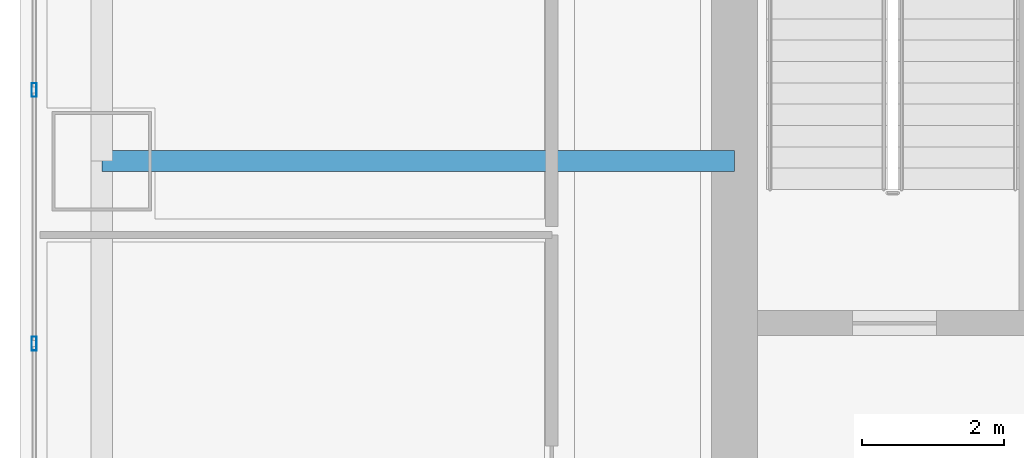
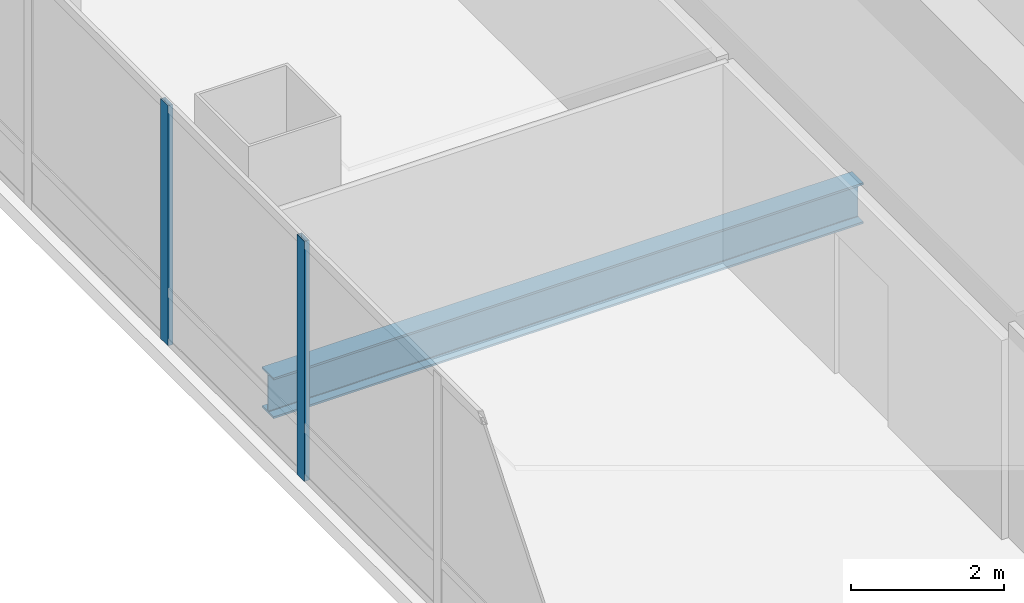
# One storey, part 9 of 36: 2 members, 1 beam, 1 element without a shape of its own.
"""IFC4 building model written with IfcOpenShell, lengths in metres."""

from ifc_helpers import new_model, si_unit, direction, frame, origin, origin_2d, place, context, subcontext, project, spatial, hollow_rectangle, i_section, extrude, material, material_profile, profile_set, type_object, element, aggregate, save


model = new_model("IFC4")

# Units and contexts
model_context = context("Model", 3, precision=1e-05, world=origin(), true_north=direction((0.0, 1.0)))
body_context = subcontext(model_context, "Body", "Model", "MODEL_VIEW")
ifc_project = project(units=[si_unit("LENGTHUNIT", "METRE"), si_unit("AREAUNIT", "SQUARE_METRE"), si_unit("VOLUMEUNIT", "CUBIC_METRE"), si_unit("PLANEANGLEUNIT", "RADIAN"), si_unit("MASSUNIT", "GRAM", prefix="KILO")], contexts=[model_context])

# Site, building, storey
site_placement = place(None, origin())
site = spatial("IfcSite", under=ifc_project, at=site_placement, CompositionType="ELEMENT")
building_placement = place(site_placement, origin())
building = spatial("IfcBuilding", under=site, at=building_placement, Name="Punatoya Terracotta Tower", CompositionType="ELEMENT")
storey_placement = place(building_placement, frame((0.0, 0.0, 208.64990234375)))
storey = spatial("IfcBuildingStorey", under=building, at=storey_placement, Name="L49", CompositionType="ELEMENT", Elevation=208.64990234375)

# Beam
ifc_material_1 = material(Name="Steel S355", Category="steel")
ifc_material_profile_1 = material_profile(ifc_material_1, i_section(OverallWidth=0.300048828125, OverallDepth=0.64990234375, WebThickness=0.01611328125, FlangeThickness=0.031005859375, FilletRadius=0.01806640625, at=origin_2d()))
ifc_profile_set_1 = profile_set([ifc_material_profile_1], Name="Steel S355")
beam_type = type_object("IfcBeamType", Name="BM-PRI-650", PredefinedType="BEAM", material=ifc_profile_set_1)
beam_placement = place(storey_placement, frame((-19.10009765625, -3.39990234375, -0.544921875), z_axis=(1.0, 0.0, 0.0), x_axis=(0.0, 1.0, 0.0)))
element("IfcBeam", 1, at=beam_placement, inside=storey, type_object=beam_type, Name="BM-L49-PR-WD", PredefinedType="BEAM", context=body_context, shape_type="SweptSolid", body=[
    extrude(i_section(OverallWidth=0.300048828125, OverallDepth=0.64990234375, WebThickness=0.01611328125, FlangeThickness=0.031005859375, FilletRadius=0.01806640625, at=origin_2d()), origin(), (0.0, 0.0, 1.0), 8.900146484375),
])

# Curtain wall, members
ifc_material_2 = material(Name="Aluminium 6063-T6 + Double Low-E Glass", Category="aluminium")
curtain_wall_type = type_object("IfcCurtainWallType", Name="CW-M2", PredefinedType="NOTDEFINED", material=ifc_material_2)
curtain_wall_placement = place(storey_placement, origin())
curtain_wall = element("IfcCurtainWall", 2, at=curtain_wall_placement, inside=storey, type_object=curtain_wall_type, Name="L49 Curtain Wall CW-L49-W13-1", PredefinedType="NOTDEFINED")
ifc_material_3 = material(Name="Aluminium 6063-T6", Category="aluminium")
ifc_material_profile_2 = material_profile(ifc_material_3, hollow_rectangle(XDim=0.072021484375, YDim=0.195068359375, WallThickness=0.00439453125, at=origin_2d()))
ifc_profile_set_2 = profile_set([ifc_material_profile_2], Name="Aluminium 6063-T6")
member_type = type_object("IfcMemberType", Name="CW-MUL-M2", PredefinedType="MULLION", material=ifc_profile_set_2)
member_1_placement = place(storey_placement, frame((-20.050048828125, -2.39990234375, 0.0), z_axis=(0.0, 0.0, 1.0), x_axis=(1.0, 0.0, 0.0)))
member_1 = element("IfcMember", 3, at=member_1_placement, type_object=member_type, Name="CW-L49-W13-1 Mullion 05", PredefinedType="MULLION", context=body_context, shape_type="SweptSolid", body=[
    extrude(hollow_rectangle(XDim=0.072021484375, YDim=0.195068359375, WallThickness=0.00439453125, at=origin_2d()), origin(), (0.0, 0.0, 1.0), 3.830078125),
])
member_2_placement = place(storey_placement, frame((-20.050048828125, -5.96728515625, 0.0), z_axis=(0.0, 0.0, 1.0), x_axis=(1.0, 0.0, 0.0)))
member_2 = element("IfcMember", 4, at=member_2_placement, type_object=member_type, Name="CW-L49-W13-1 Mullion 06", PredefinedType="MULLION", context=body_context, shape_type="SweptSolid", body=[
    extrude(hollow_rectangle(XDim=0.072021484375, YDim=0.195068359375, WallThickness=0.00439453125, at=origin_2d()), origin(), (0.0, 0.0, 1.0), 3.830078125),
])
aggregate(curtain_wall, [member_1, member_2])

save(model, "model.ifc")
